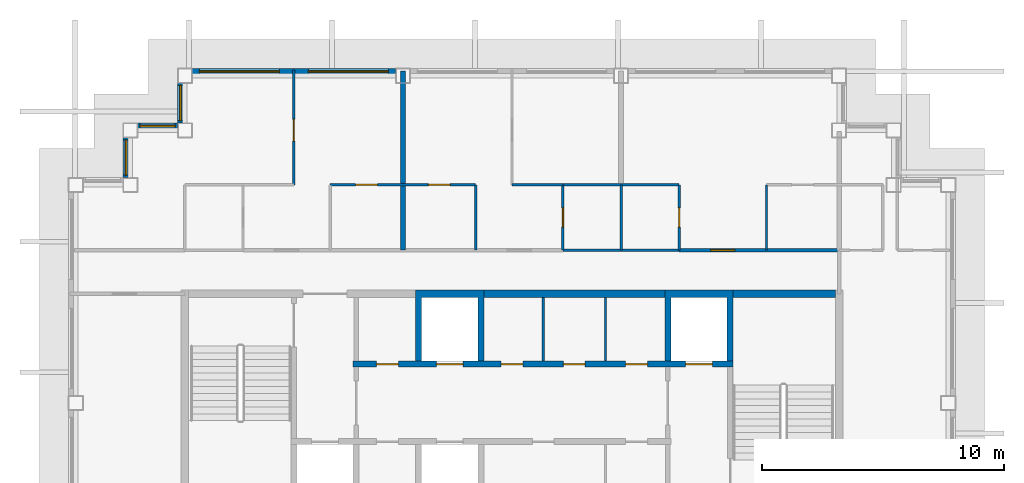
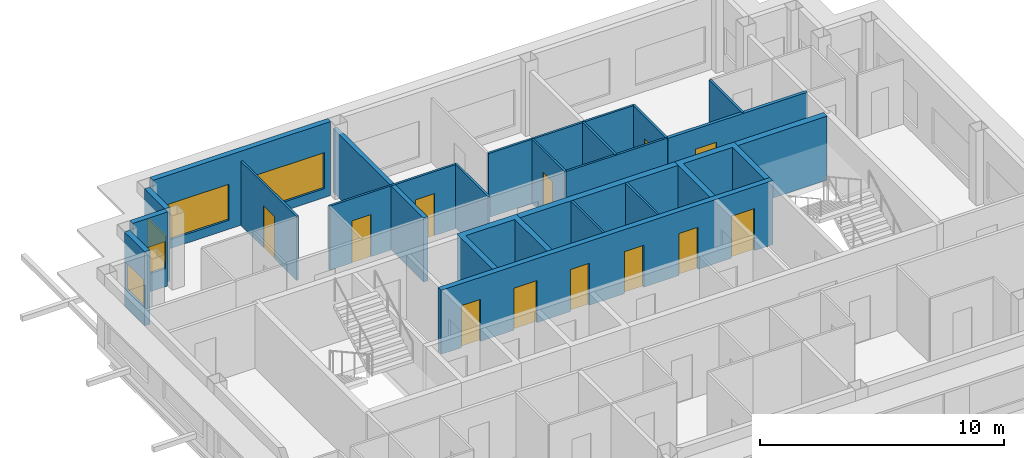
# One storey, part 4 of 11: 23 walls, 12 doors, 5 windows, 17 openings.
"""IFC4 building model written with IfcOpenShell, lengths in metres."""

from ifc_helpers import new_model, si_unit, direction, frame, frame_2d, origin, place, context, subcontext, project, spatial, polyline, rectangle, outline, extrude, material, layer, layer_set, type_object, element, fill, save


model = new_model("IFC4")

# Units and contexts
model_context = context("Model", 3, precision=1e-05, world=origin(), true_north=direction((0.0, 1.0)))
body_context = subcontext(model_context, "Body", "Model", "MODEL_VIEW")
ifc_project = project(units=[si_unit("LENGTHUNIT", "METRE"), si_unit("AREAUNIT", "SQUARE_METRE"), si_unit("VOLUMEUNIT", "CUBIC_METRE"), si_unit("PLANEANGLEUNIT", "RADIAN"), si_unit("MASSUNIT", "GRAM", prefix="KILO")], contexts=[model_context])

# Site, building, storey
site_placement = place(None, origin())
site = spatial("IfcSite", under=ifc_project, at=site_placement, CompositionType="ELEMENT")
building_placement = place(site_placement, origin())
building = spatial("IfcBuilding", under=site, at=building_placement, Name="Caravel Reach Hotel and Residences", CompositionType="ELEMENT")
storey_placement = place(building_placement, frame((0.0, 0.0, 301.89990234375)))
storey = spatial("IfcBuildingStorey", under=building, at=storey_placement, Name="L77", CompositionType="ELEMENT", Elevation=301.89990234375)

# Walls
ifc_material_1 = material(Name="Gypsum board on steel stud", Category="steel")
ifc_layer_1 = layer(ifc_material_1, 0.10009765625)
ifc_layer_set_1 = layer_set([ifc_layer_1], Name="Bathroom pod wall 100 mm")
wall_type_1 = type_object("IfcWallType", Name="Bathroom pod wall 100 mm", PredefinedType="PARTITIONING", material=ifc_layer_set_1)
for number, where, z_axis, x_axis, name in (
    (1, (33.60009765625, 33.300048828125, 0.0), (0.0, 0.0, 1.0), (1.0, 0.0, 0.0), "L77 wall w061"),
    (2, (33.60009765625, 36.0, 0.0), (0.0, 0.0, 1.0), (1.0, 0.0, 0.0), "L77 wall w065"),
):
    element("IfcWall", number, at=place(storey_placement, frame(where, z_axis=z_axis, x_axis=x_axis)), inside=storey, type_object=wall_type_1, Name=name, PredefinedType="PARTITIONING", context=body_context, shape_type="SweptSolid", body=[
        extrude(rectangle(XDim=4.7998046875, YDim=0.10009765625, at=frame_2d((2.39990234375, 0.0))), origin(), (0.0, 0.0, 1.0), 3.2001953125),
    ])

# Wall, opening, door
wall_1_placement = place(storey_placement, frame((33.60009765625, 33.300048828125, 0.0), z_axis=(0.0, 0.0, 1.0), x_axis=(0.0, 1.0, 0.0)))
wall_1 = element("IfcWall", 3, at=wall_1_placement, inside=storey, type_object=wall_type_1, Name="L77 wall w072", PredefinedType="PARTITIONING", context=body_context, shape_type="SweptSolid", body=[
    extrude(rectangle(XDim=2.699951171875, YDim=0.10009765625, at=frame_2d((1.35009765625, 0.0))), origin(), (0.0, 0.0, 1.0), 3.2001953125),
])
opening_1_placement = place(wall_1_placement, frame((0.949951171875, 0.0, 0.0)))
opening_1 = element("IfcOpeningElement", 4, at=opening_1_placement, cuts=wall_1, Name="Opening D77-024", PredefinedType="OPENING", context=body_context, shape_type="SweptSolid", body=[
    extrude(rectangle(XDim=0.800048828125, YDim=2.10009765625, at=frame_2d((0.39990234375, 1.050048828125))), frame((0.0, 0.06005859375, 0.0), z_axis=(0.0, -1.0, 0.0), x_axis=(1.0, 0.0, 0.0)), (0.0, 0.0, 1.0), 0.1201171875),
])
ifc_material_2 = material(Name="Timber and steel door leaf", Category="steel")
door_type_1 = type_object("IfcDoorType", Name="Bathroom door 800 x 2100", OperationType="SINGLE_SWING_LEFT", PredefinedType="DOOR", material=ifc_material_2)
door_1_placement = place(opening_1_placement, origin())
door_1 = element("IfcDoor", 5, at=door_1_placement, inside=storey, type_object=door_type_1, Name="door D77-024", OperationType="SINGLE_SWING_LEFT", OverallHeight=2.10009765625, OverallWidth=0.800048828125, PredefinedType="DOOR", context=body_context, shape_type="SweptSolid", body=[
    extrude(rectangle(XDim=0.800048828125, YDim=2.10009765625, at=frame_2d((0.39990234375, 1.050048828125))), frame((0.0, 0.02490234375, 0.0), z_axis=(0.0, -1.0, 0.0), x_axis=(1.0, 0.0, 0.0)), (0.0, 0.0, 1.0), 0.050048828125),
])
fill(opening_1, door_1)

# Wall
wall_2_placement = place(storey_placement, frame((36.0, 33.300048828125, 0.0), z_axis=(0.0, 0.0, 1.0), x_axis=(0.0, 1.0, 0.0)))
element("IfcWall", 6, at=wall_2_placement, inside=storey, type_object=wall_type_1, Name="L77 wall w074", PredefinedType="PARTITIONING", context=body_context, shape_type="SweptSolid", body=[
    extrude(rectangle(XDim=2.699951171875, YDim=0.10009765625, at=frame_2d((1.35009765625, 0.0))), origin(), (0.0, 0.0, 1.0), 3.2001953125),
])

# Wall, opening, door
wall_3_placement = place(storey_placement, frame((38.39990234375, 33.300048828125, 0.0), z_axis=(0.0, 0.0, 1.0), x_axis=(0.0, 1.0, 0.0)))
wall_3 = element("IfcWall", 7, at=wall_3_placement, inside=storey, type_object=wall_type_1, Name="L77 wall w076", PredefinedType="PARTITIONING", context=body_context, shape_type="SweptSolid", body=[
    extrude(rectangle(XDim=2.699951171875, YDim=0.10009765625, at=frame_2d((1.35009765625, 0.0))), origin(), (0.0, 0.0, 1.0), 3.2001953125),
])
opening_2_placement = place(wall_3_placement, frame((0.949951171875, 0.0, 0.0)))
opening_2 = element("IfcOpeningElement", 8, at=opening_2_placement, cuts=wall_3, Name="Opening D77-027", PredefinedType="OPENING", context=body_context, shape_type="SweptSolid", body=[
    extrude(rectangle(XDim=0.800048828125, YDim=2.10009765625, at=frame_2d((0.39990234375, 1.050048828125))), frame((0.0, 0.06005859375, 0.0), z_axis=(0.0, -1.0, 0.0), x_axis=(1.0, 0.0, 0.0)), (0.0, 0.0, 1.0), 0.1201171875),
])
door_2_placement = place(opening_2_placement, origin())
door_2 = element("IfcDoor", 9, at=door_2_placement, inside=storey, type_object=door_type_1, Name="door D77-027", OperationType="SINGLE_SWING_LEFT", OverallHeight=2.10009765625, OverallWidth=0.800048828125, PredefinedType="DOOR", context=body_context, shape_type="SweptSolid", body=[
    extrude(rectangle(XDim=0.800048828125, YDim=2.10009765625, at=frame_2d((0.39990234375, 1.050048828125))), frame((0.0, 0.02490234375, 0.0), z_axis=(0.0, -1.0, 0.0), x_axis=(1.0, 0.0, 0.0)), (0.0, 0.0, 1.0), 0.050048828125),
])
fill(opening_2, door_2)

# Walls
ifc_material_3 = material(Name="Concrete C60", Category="concrete")
ifc_layer_2 = layer(ifc_material_3, 0.300048828125)
ifc_layer_set_2 = layer_set([ifc_layer_2], Name="Core wall 300 mm EI 120")
wall_type_2 = type_object("IfcWallType", Name="Core wall 300 mm EI 120", PredefinedType="SHEAR", material=ifc_layer_set_2)
wall_4_placement = place(storey_placement, frame((30.33935546875, 31.5, 0.0), z_axis=(0.0, 0.0, 1.0), x_axis=(1.0, 0.0, 0.0)))
element("IfcWall", 10, at=wall_4_placement, inside=storey, type_object=wall_type_2, Name="L77 core wall N2", PredefinedType="SHEAR", context=body_context, shape_type="SweptSolid", body=[
    extrude(rectangle(XDim=7.464111328125, YDim=0.300048828125, at=frame_2d((3.73193359375, 0.0))), origin(), (0.0, 0.0, 1.0), 3.2001953125),
])
wall_5_placement = place(storey_placement, frame((40.625, 31.5, 0.0), z_axis=(0.0, 0.0, 1.0), x_axis=(1.0, 0.0, 0.0)))
element("IfcWall", 11, at=wall_5_placement, inside=storey, type_object=wall_type_2, Name="L77 core wall N3", PredefinedType="SHEAR", context=body_context, shape_type="SweptSolid", body=[
    extrude(rectangle(XDim=4.22509765625, YDim=0.300048828125, at=frame_2d((2.112548828125, 0.0))), origin(), (0.0, 0.0, 1.0), 3.2001953125),
])

# Wall, opening, door
ifc_material_4 = material(Name="Gypsum board on steel stud, fire-rated", Category="steel")
ifc_layer_3 = layer(ifc_material_4, 0.14990234375)
ifc_layer_set_3 = layer_set([ifc_layer_3], Name="Corridor wall 150 mm EI 60")
wall_type_3 = type_object("IfcWallType", Name="Corridor wall 150 mm EI 60", PredefinedType="PARTITIONING", material=ifc_layer_set_3)
wall_6_placement = place(storey_placement, frame((38.39990234375, 33.300048828125, 0.0), z_axis=(0.0, 0.0, 1.0), x_axis=(1.0, 0.0, 0.0)))
wall_6 = element("IfcWall", 12, at=wall_6_placement, inside=storey, type_object=wall_type_3, Name="L77 wall w015", PredefinedType="PARTITIONING", context=body_context, shape_type="SweptSolid", body=[
    extrude(rectangle(XDim=6.60009765625, YDim=0.14990234375, at=frame_2d((3.300048828125, 0.0))), origin(), (0.0, 0.0, 1.0), 3.2001953125),
])
opening_3_placement = place(wall_6_placement, frame((1.300048828125, 0.0, 0.0)))
opening_3 = element("IfcOpeningElement", 13, at=opening_3_placement, cuts=wall_6, Name="Opening D77-026", PredefinedType="OPENING", context=body_context, shape_type="SweptSolid", body=[
    extrude(rectangle(XDim=1.0, YDim=2.199951171875, at=frame_2d((0.5, 1.10009765625))), frame((0.0, 0.0849609375, 0.0), z_axis=(0.0, -1.0, 0.0), x_axis=(1.0, 0.0, 0.0)), (0.0, 0.0, 1.0), 0.169921875),
])
ifc_material_5 = material(Name="Steel fire door leaf", Category="steel")
door_type_2 = type_object("IfcDoorType", Name="Flat entrance door 1000 x 2200 EI 60", OperationType="SINGLE_SWING_LEFT", PredefinedType="DOOR", material=ifc_material_5)
door_3_placement = place(opening_3_placement, origin())
door_3 = element("IfcDoor", 14, at=door_3_placement, inside=storey, type_object=door_type_2, Name="door D77-026", OperationType="SINGLE_SWING_RIGHT", OverallHeight=2.199951171875, OverallWidth=1.0, PredefinedType="DOOR", context=body_context, shape_type="SweptSolid", body=[
    extrude(rectangle(XDim=1.0, YDim=2.199951171875, at=frame_2d((0.5, 1.10009765625))), frame((0.0, 0.02490234375, 0.0), z_axis=(0.0, -1.0, 0.0), x_axis=(1.0, 0.0, 0.0)), (0.0, 0.0, 1.0), 0.050048828125),
])
fill(opening_3, door_3)

# Wall, openings, windows
ifc_material_6 = material(Name="Insulated rainscreen wall, aluminium cladding", Category="aluminium")
ifc_layer_4 = layer(ifc_material_6, 0.25)
ifc_layer_set_4 = layer_set([ifc_layer_4], Name="EW1 Tower rainscreen wall")
wall_type_4 = type_object("IfcWallType", Name="EW1 Tower rainscreen wall", PredefinedType="SOLIDWALL", material=ifc_layer_set_4)
wall_7_placement = place(storey_placement, frame((26.699951171875, 40.675048828125, 0.0), z_axis=(0.0, 0.0, 1.0), x_axis=(-1.0, 0.0, 0.0)))
wall_7 = element("IfcWall", 15, at=wall_7_placement, inside=storey, type_object=wall_type_4, Name="External wall L77 N10.3", PredefinedType="SOLIDWALL", context=body_context, shape_type="SweptSolid", body=[
    extrude(rectangle(XDim=8.39990234375, YDim=0.25, at=frame_2d((4.199951171875, 0.0))), origin(), (0.0, 0.0, 1.0), 3.7001953125),
])
opening_4_placement = place(wall_7_placement, frame((0.300048828125, 0.0, 0.449951171875)))
opening_4 = element("IfcOpeningElement", 16, at=opening_4_placement, cuts=wall_7, Name="Opening WN28", PredefinedType="OPENING", context=body_context, shape_type="SweptSolid", body=[
    extrude(rectangle(XDim=3.300048828125, YDim=1.800048828125, at=frame_2d((1.64990234375, 0.89990234375))), frame((0.0, 0.135009765625, 0.0), z_axis=(0.0, -1.0, 0.0), x_axis=(1.0, 0.0, 0.0)), (0.0, 0.0, 1.0), 0.27001953125),
])
opening_5_placement = place(wall_7_placement, frame((4.800048828125, 0.0, 0.449951171875)))
opening_5 = element("IfcOpeningElement", 17, at=opening_5_placement, cuts=wall_7, Name="Opening WN28", PredefinedType="OPENING", context=body_context, shape_type="SweptSolid", body=[
    extrude(rectangle(XDim=3.300048828125, YDim=1.800048828125, at=frame_2d((1.64990234375, 0.89990234375))), frame((0.0, 0.135009765625, 0.0), z_axis=(0.0, -1.0, 0.0), x_axis=(1.0, 0.0, 0.0)), (0.0, 0.0, 1.0), 0.27001953125),
])
ifc_material_7 = material(Name="Dark low-e glazing in black aluminium frame", Category="aluminium")
window_type_1 = type_object("IfcWindowType", Name="Residence living window 3300 x 1800", PartitioningType="SINGLE_PANEL", PredefinedType="WINDOW", material=ifc_material_7)
window_1_placement = place(opening_4_placement, origin())
window_1 = element("IfcWindow", 18, at=window_1_placement, inside=storey, type_object=window_type_1, Name="Window L77 N10.3.1", OverallHeight=1.800048828125, OverallWidth=3.300048828125, PartitioningType="SINGLE_PANEL", PredefinedType="WINDOW", context=body_context, shape_type="SweptSolid", body=[
    extrude(rectangle(XDim=3.300048828125, YDim=1.800048828125, at=frame_2d((1.64990234375, 0.89990234375))), frame((0.0, 0.030029296875, 0.0), z_axis=(0.0, -1.0, 0.0), x_axis=(1.0, 0.0, 0.0)), (0.0, 0.0, 1.0), 0.06005859375),
])
fill(opening_4, window_1)
window_2_placement = place(opening_5_placement, origin())
window_2 = element("IfcWindow", 19, at=window_2_placement, inside=storey, type_object=window_type_1, Name="Window L77 N10.3.2", OverallHeight=1.800048828125, OverallWidth=3.300048828125, PartitioningType="SINGLE_PANEL", PredefinedType="WINDOW", context=body_context, shape_type="SweptSolid", body=[
    extrude(rectangle(XDim=3.300048828125, YDim=1.800048828125, at=frame_2d((1.64990234375, 0.89990234375))), frame((0.0, 0.030029296875, 0.0), z_axis=(0.0, -1.0, 0.0), x_axis=(1.0, 0.0, 0.0)), (0.0, 0.0, 1.0), 0.06005859375),
])
fill(opening_5, window_2)

# Wall, opening, window
wall_8_placement = place(storey_placement, frame((17.824951171875, 40.199951171875, 0.0), z_axis=(0.0, 0.0, 1.0), x_axis=(0.0, -1.0, 0.0)))
wall_8 = element("IfcWall", 20, at=wall_8_placement, inside=storey, type_object=wall_type_4, Name="External wall L77 W11.1", PredefinedType="SOLIDWALL", context=body_context, shape_type="SweptSolid", body=[
    extrude(rectangle(XDim=1.64990234375, YDim=0.25, at=frame_2d((0.824951171875, 0.0))), origin(), (0.0, 0.0, 1.0), 3.7001953125),
])
opening_6_placement = place(wall_8_placement, frame((0.10009765625, 0.0, 0.89990234375)))
opening_6 = element("IfcOpeningElement", 21, at=opening_6_placement, cuts=wall_8, Name="Opening WN27", PredefinedType="OPENING", context=body_context, shape_type="SweptSolid", body=[
    extrude(rectangle(XDim=1.449951171875, YDim=1.35009765625, at=frame_2d((0.72509765625, 0.675048828125))), frame((0.0, 0.135009765625, 0.0), z_axis=(0.0, -1.0, 0.0), x_axis=(1.0, 0.0, 0.0)), (0.0, 0.0, 1.0), 0.27001953125),
])
ifc_material_8 = material(Name="Dark low-e glazing in black aluminium frame", Category="aluminium")
window_type_2 = type_object("IfcWindowType", Name="Residence bedroom window 1450 x 1350", PartitioningType="SINGLE_PANEL", PredefinedType="WINDOW", material=ifc_material_8)
window_3_placement = place(opening_6_placement, origin())
window_3 = element("IfcWindow", 22, at=window_3_placement, inside=storey, type_object=window_type_2, Name="Window L77 W11.1.1", OverallHeight=1.35009765625, OverallWidth=1.449951171875, PartitioningType="SINGLE_PANEL", PredefinedType="WINDOW", context=body_context, shape_type="SweptSolid", body=[
    extrude(rectangle(XDim=1.449951171875, YDim=1.35009765625, at=frame_2d((0.72509765625, 0.675048828125))), frame((0.0, 0.030029296875, 0.0), z_axis=(0.0, -1.0, 0.0), x_axis=(1.0, 0.0, 0.0)), (0.0, 0.0, 1.0), 0.06005859375),
])
fill(opening_6, window_3)

wall_9_placement = place(storey_placement, frame((17.699951171875, 38.425048828125, 0.0), z_axis=(0.0, 0.0, 1.0), x_axis=(-1.0, 0.0, 0.0)))
wall_9 = element("IfcWall", 23, at=wall_9_placement, inside=storey, type_object=wall_type_4, Name="External wall L77 N12.1", PredefinedType="SOLIDWALL", context=body_context, shape_type="SweptSolid", body=[
    extrude(rectangle(XDim=1.64990234375, YDim=0.25, at=frame_2d((0.824951171875, 0.0))), origin(), (0.0, 0.0, 1.0), 3.7001953125),
])
opening_7_placement = place(wall_9_placement, frame((0.10009765625, 0.0, 0.89990234375)))
opening_7 = element("IfcOpeningElement", 24, at=opening_7_placement, cuts=wall_9, Name="Opening WN27", PredefinedType="OPENING", context=body_context, shape_type="SweptSolid", body=[
    extrude(rectangle(XDim=1.449951171875, YDim=1.35009765625, at=frame_2d((0.72509765625, 0.675048828125))), frame((0.0, 0.135009765625, 0.0), z_axis=(0.0, -1.0, 0.0), x_axis=(1.0, 0.0, 0.0)), (0.0, 0.0, 1.0), 0.27001953125),
])
window_4_placement = place(opening_7_placement, origin())
window_4 = element("IfcWindow", 25, at=window_4_placement, inside=storey, type_object=window_type_2, Name="Window L77 N12.1.1", OverallHeight=1.35009765625, OverallWidth=1.449951171875, PartitioningType="SINGLE_PANEL", PredefinedType="WINDOW", context=body_context, shape_type="SweptSolid", body=[
    extrude(rectangle(XDim=1.449951171875, YDim=1.35009765625, at=frame_2d((0.72509765625, 0.675048828125))), frame((0.0, 0.030029296875, 0.0), z_axis=(0.0, -1.0, 0.0), x_axis=(1.0, 0.0, 0.0)), (0.0, 0.0, 1.0), 0.06005859375),
])
fill(opening_7, window_4)

wall_10_placement = place(storey_placement, frame((15.574951171875, 37.949951171875, 0.0), z_axis=(0.0, 0.0, 1.0), x_axis=(0.0, -1.0, 0.0)))
wall_10 = element("IfcWall", 26, at=wall_10_placement, inside=storey, type_object=wall_type_4, Name="External wall L77 W13.1", PredefinedType="SOLIDWALL", context=body_context, shape_type="SweptSolid", body=[
    extrude(rectangle(XDim=1.64990234375, YDim=0.25, at=frame_2d((0.824951171875, 0.0))), origin(), (0.0, 0.0, 1.0), 3.7001953125),
])
opening_8_placement = place(wall_10_placement, frame((0.10009765625, 0.0, 0.89990234375)))
opening_8 = element("IfcOpeningElement", 27, at=opening_8_placement, cuts=wall_10, Name="Opening WN27", PredefinedType="OPENING", context=body_context, shape_type="SweptSolid", body=[
    extrude(rectangle(XDim=1.449951171875, YDim=1.35009765625, at=frame_2d((0.72509765625, 0.675048828125))), frame((0.0, 0.135009765625, 0.0), z_axis=(0.0, -1.0, 0.0), x_axis=(1.0, 0.0, 0.0)), (0.0, 0.0, 1.0), 0.27001953125),
])
window_5_placement = place(opening_8_placement, origin())
window_5 = element("IfcWindow", 28, at=window_5_placement, inside=storey, type_object=window_type_2, Name="Window L77 W13.1.1", OverallHeight=1.35009765625, OverallWidth=1.449951171875, PartitioningType="SINGLE_PANEL", PredefinedType="WINDOW", context=body_context, shape_type="SweptSolid", body=[
    extrude(rectangle(XDim=1.449951171875, YDim=1.35009765625, at=frame_2d((0.72509765625, 0.675048828125))), frame((0.0, 0.030029296875, 0.0), z_axis=(0.0, -1.0, 0.0), x_axis=(1.0, 0.0, 0.0)), (0.0, 0.0, 1.0), 0.06005859375),
])
fill(opening_8, window_5)

# Walls
ifc_material_9 = material(Name="Gypsum board on steel stud", Category="steel")
ifc_layer_5 = layer(ifc_material_9, 0.10009765625)
ifc_layer_set_5 = layer_set([ifc_layer_5], Name="Partition 100 mm")
wall_type_5 = type_object("IfcWallType", Name="Partition 100 mm", PredefinedType="PARTITIONING", material=ifc_layer_set_5)
for number, where, z_axis, x_axis, name in (
    (29, (32.78564453125, 28.72509765625, 0.0), (0.0, 0.0, 1.0), (0.0, 1.0, 0.0), "L77 store partition"),
    (30, (35.357177734375, 28.72509765625, 0.0), (0.0, 0.0, 1.0), (0.0, 1.0, 0.0), "L77 store partition"),
):
    element("IfcWall", number, at=place(storey_placement, frame(where, z_axis=z_axis, x_axis=x_axis)), inside=storey, type_object=wall_type_5, Name=name, PredefinedType="PARTITIONING", context=body_context, shape_type="SweptSolid", body=[
        extrude(rectangle(XDim=2.625, YDim=0.10009765625, at=frame_2d((1.3125, 0.0))), origin(), (0.0, 0.0, 1.0), 3.2001953125),
    ])

# Wall, openings, doors
wall_11_placement = place(storey_placement, frame((24.0, 36.0, 0.0), z_axis=(0.0, 0.0, 1.0), x_axis=(1.0, 0.0, 0.0)))
wall_11 = element("IfcWall", 31, at=wall_11_placement, inside=storey, type_object=wall_type_5, Name="L77 wall w027", PredefinedType="PARTITIONING", context=body_context, shape_type="SweptSolid", body=[
    extrude(rectangle(XDim=6.0, YDim=0.10009765625, at=frame_2d((3.0, 0.0))), origin(), (0.0, 0.0, 1.0), 3.2001953125),
])
opening_9_placement = place(wall_11_placement, frame((1.050048828125, 0.0, 0.0)))
opening_9 = element("IfcOpeningElement", 32, at=opening_9_placement, cuts=wall_11, Name="Opening D77-020", PredefinedType="OPENING", context=body_context, shape_type="SweptSolid", body=[
    extrude(rectangle(XDim=0.89990234375, YDim=2.10009765625, at=frame_2d((0.449951171875, 1.050048828125))), frame((0.0, 0.06005859375, 0.0), z_axis=(0.0, -1.0, 0.0), x_axis=(1.0, 0.0, 0.0)), (0.0, 0.0, 1.0), 0.1201171875),
])
opening_10_placement = place(wall_11_placement, frame((4.050048828125, 0.0, 0.0)))
opening_10 = element("IfcOpeningElement", 33, at=opening_10_placement, cuts=wall_11, Name="Opening D77-023", PredefinedType="OPENING", context=body_context, shape_type="SweptSolid", body=[
    extrude(rectangle(XDim=0.89990234375, YDim=2.10009765625, at=frame_2d((0.449951171875, 1.050048828125))), frame((0.0, 0.06005859375, 0.0), z_axis=(0.0, -1.0, 0.0), x_axis=(1.0, 0.0, 0.0)), (0.0, 0.0, 1.0), 0.1201171875),
])
ifc_material_10 = material(Name="Timber and steel door leaf", Category="steel")
door_type_3 = type_object("IfcDoorType", Name="Door 900 x 2100 timber", OperationType="SINGLE_SWING_LEFT", PredefinedType="DOOR", material=ifc_material_10)
door_4_placement = place(opening_9_placement, origin())
door_4 = element("IfcDoor", 34, at=door_4_placement, inside=storey, type_object=door_type_3, Name="door D77-020", OperationType="SINGLE_SWING_LEFT", OverallHeight=2.10009765625, OverallWidth=0.89990234375, PredefinedType="DOOR", context=body_context, shape_type="SweptSolid", body=[
    extrude(rectangle(XDim=0.89990234375, YDim=2.10009765625, at=frame_2d((0.449951171875, 1.050048828125))), frame((0.0, 0.02490234375, 0.0), z_axis=(0.0, -1.0, 0.0), x_axis=(1.0, 0.0, 0.0)), (0.0, 0.0, 1.0), 0.050048828125),
])
fill(opening_9, door_4)
door_5_placement = place(opening_10_placement, origin())
door_5 = element("IfcDoor", 35, at=door_5_placement, inside=storey, type_object=door_type_3, Name="door D77-023", OperationType="SINGLE_SWING_RIGHT", OverallHeight=2.10009765625, OverallWidth=0.89990234375, PredefinedType="DOOR", context=body_context, shape_type="SweptSolid", body=[
    extrude(rectangle(XDim=0.89990234375, YDim=2.10009765625, at=frame_2d((0.449951171875, 1.050048828125))), frame((0.0, 0.02490234375, 0.0), z_axis=(0.0, -1.0, 0.0), x_axis=(1.0, 0.0, 0.0)), (0.0, 0.0, 1.0), 0.050048828125),
])
fill(opening_10, door_5)

# Wall
wall_12_placement = place(storey_placement, frame((31.5, 36.0, 0.0), z_axis=(0.0, 0.0, 1.0), x_axis=(1.0, 0.0, 0.0)))
element("IfcWall", 36, at=wall_12_placement, inside=storey, type_object=wall_type_5, Name="L77 wall w028", PredefinedType="PARTITIONING", context=body_context, shape_type="SweptSolid", body=[
    extrude(rectangle(XDim=2.10009765625, YDim=0.10009765625, at=frame_2d((1.050048828125, 0.0))), origin(), (0.0, 0.0, 1.0), 3.2001953125),
])

# Wall, opening, door
wall_13_placement = place(storey_placement, frame((22.5, 36.0, 0.0), z_axis=(0.0, 0.0, 1.0), x_axis=(0.0, 1.0, 0.0)))
wall_13 = element("IfcWall", 37, at=wall_13_placement, inside=storey, type_object=wall_type_5, Name="L77 wall w033", PredefinedType="PARTITIONING", context=body_context, shape_type="SweptSolid", body=[
    extrude(rectangle(XDim=4.739990234375, YDim=0.10009765625, at=frame_2d((2.3701171875, 0.0))), origin(), (0.0, 0.0, 1.0), 3.2001953125),
])
opening_11_placement = place(wall_13_placement, frame((1.800048828125, 0.0, 0.0)))
opening_11 = element("IfcOpeningElement", 38, at=opening_11_placement, cuts=wall_13, Name="Opening D77-021", PredefinedType="OPENING", context=body_context, shape_type="SweptSolid", body=[
    extrude(rectangle(XDim=0.89990234375, YDim=2.10009765625, at=frame_2d((0.449951171875, 1.050048828125))), frame((0.0, 0.06005859375, 0.0), z_axis=(0.0, -1.0, 0.0), x_axis=(1.0, 0.0, 0.0)), (0.0, 0.0, 1.0), 0.1201171875),
])
door_6_placement = place(opening_11_placement, origin())
door_6 = element("IfcDoor", 39, at=door_6_placement, inside=storey, type_object=door_type_3, Name="door D77-021", OperationType="SINGLE_SWING_RIGHT", OverallHeight=2.10009765625, OverallWidth=0.89990234375, PredefinedType="DOOR", context=body_context, shape_type="SweptSolid", body=[
    extrude(rectangle(XDim=0.89990234375, YDim=2.10009765625, at=frame_2d((0.449951171875, 1.050048828125))), frame((0.0, 0.02490234375, 0.0), z_axis=(0.0, -1.0, 0.0), x_axis=(1.0, 0.0, 0.0)), (0.0, 0.0, 1.0), 0.050048828125),
])
fill(opening_11, door_6)

# Walls
for number, where, z_axis, x_axis, name in (
    (40, (30.0, 33.300048828125, 0.0), (0.0, 0.0, 1.0), (0.0, 1.0, 0.0), "L77 wall w036"),
    (41, (42.0, 33.300048828125, 0.0), (0.0, 0.0, 1.0), (0.0, 1.0, 0.0), "L77 wall w040"),
):
    element("IfcWall", number, at=place(storey_placement, frame(where, z_axis=z_axis, x_axis=x_axis)), inside=storey, type_object=wall_type_5, Name=name, PredefinedType="PARTITIONING", context=body_context, shape_type="SweptSolid", body=[
        extrude(rectangle(XDim=2.699951171875, YDim=0.10009765625, at=frame_2d((1.35009765625, 0.0))), origin(), (0.0, 0.0, 1.0), 3.2001953125),
    ])
ifc_material_11 = material(Name="Autoclaved aerated block wall")
ifc_layer_6 = layer(ifc_material_11, 0.199951171875)
ifc_layer_set_6 = layer_set([ifc_layer_6], Name="Party wall 200 mm EI 60")
wall_type_6 = type_object("IfcWallType", Name="Party wall 200 mm EI 60", PredefinedType="PARTITIONING", material=ifc_layer_set_6)
wall_14_placement = place(storey_placement, frame((27.0, 33.300048828125, 0.0), z_axis=(0.0, 0.0, 1.0), x_axis=(0.0, 1.0, 0.0)))
element("IfcWall", 42, at=wall_14_placement, inside=storey, type_object=wall_type_6, Name="L77 wall w046", PredefinedType="PARTITIONING", context=body_context, shape_type="SweptSolid", body=[
    extrude(rectangle(XDim=7.389892578125, YDim=0.199951171875, at=frame_2d((3.69482421875, 0.0))), origin(), (0.0, 0.0, 1.0), 3.2001953125),
])
ifc_material_12 = material(Name="Concrete C60", Category="concrete")
ifc_layer_7 = layer(ifc_material_12, 0.25)
ifc_layer_set_7 = layer_set([ifc_layer_7], Name="Shaft wall 250 mm EI 120")
wall_type_7 = type_object("IfcWallType", Name="Shaft wall 250 mm EI 120", PredefinedType="SHEAR", material=ifc_layer_set_7)
wall_15_placement = place(storey_placement, origin())
element("IfcWall", 43, at=wall_15_placement, inside=storey, type_object=wall_type_7, Name="L77 lift shaft wall N1", PredefinedType="SHEAR", context=body_context, shape_type="SweptSolid", body=[
    extrude(outline(polyline([(27.517822265625, 28.72509765625), (27.767822265625, 28.72509765625), (27.767822265625, 31.35009765625), (30.08935546875, 31.35009765625), (30.08935546875, 28.72509765625), (30.33935546875, 28.72509765625), (30.33935546875, 31.64990234375), (27.517822265625, 31.64990234375), (27.517822265625, 28.72509765625)])), origin(), (0.0, 0.0, 1.0), 3.2001953125),
])
wall_16_placement = place(storey_placement, origin())
element("IfcWall", 44, at=wall_16_placement, inside=storey, type_object=wall_type_7, Name="L77 lift shaft wall N2", PredefinedType="SHEAR", context=body_context, shape_type="SweptSolid", body=[
    extrude(outline(polyline([(37.803466796875, 28.72509765625), (38.053466796875, 28.72509765625), (38.053466796875, 31.35009765625), (40.375, 31.35009765625), (40.375, 28.72509765625), (40.625, 28.72509765625), (40.625, 31.64990234375), (37.803466796875, 31.64990234375), (37.803466796875, 28.72509765625)])), origin(), (0.0, 0.0, 1.0), 3.2001953125),
])

# Wall, openings, doors
wall_17_placement = place(storey_placement, frame((24.946533203125, 28.60009765625, 0.0), z_axis=(0.0, 0.0, 1.0), x_axis=(1.0, 0.0, 0.0)))
wall_17 = element("IfcWall", 45, at=wall_17_placement, inside=storey, type_object=wall_type_7, Name="L77 lobby wall N1", PredefinedType="SHEAR", context=body_context, shape_type="SweptSolid", body=[
    extrude(rectangle(XDim=15.678466796875, YDim=0.25, at=frame_2d((7.83935546875, 0.0))), origin(), (0.0, 0.0, 1.0), 3.2001953125),
])
opening_12_placement = place(wall_17_placement, frame((3.43212890625, 0.0, 0.0)))
opening_12 = element("IfcOpeningElement", 46, at=opening_12_placement, cuts=wall_17, Name="Opening D77-002", PredefinedType="OPENING", context=body_context, shape_type="SweptSolid", body=[
    extrude(rectangle(XDim=1.10009765625, YDim=2.10009765625, at=frame_2d((0.550048828125, 1.050048828125))), frame((0.0, 0.135009765625, 0.0), z_axis=(0.0, -1.0, 0.0), x_axis=(1.0, 0.0, 0.0)), (0.0, 0.0, 1.0), 0.27001953125),
])
opening_13_placement = place(wall_17_placement, frame((13.718017578125, 0.0, 0.0)))
opening_13 = element("IfcOpeningElement", 47, at=opening_13_placement, cuts=wall_17, Name="Opening D77-004", PredefinedType="OPENING", context=body_context, shape_type="SweptSolid", body=[
    extrude(rectangle(XDim=1.10009765625, YDim=2.10009765625, at=frame_2d((0.550048828125, 1.050048828125))), frame((0.0, 0.135009765625, 0.0), z_axis=(0.0, -1.0, 0.0), x_axis=(1.0, 0.0, 0.0)), (0.0, 0.0, 1.0), 0.27001953125),
])
opening_14_placement = place(wall_17_placement, frame((0.960693359375, 0.0, 0.0)))
opening_14 = element("IfcOpeningElement", 48, at=opening_14_placement, cuts=wall_17, Name="Opening D77-008", PredefinedType="OPENING", context=body_context, shape_type="SweptSolid", body=[
    extrude(rectangle(XDim=0.89990234375, YDim=2.10009765625, at=frame_2d((0.449951171875, 1.050048828125))), frame((0.0, 0.135009765625, 0.0), z_axis=(0.0, -1.0, 0.0), x_axis=(1.0, 0.0, 0.0)), (0.0, 0.0, 1.0), 0.27001953125),
])
opening_15_placement = place(wall_17_placement, frame((6.103515625, 0.0, 0.0)))
opening_15 = element("IfcOpeningElement", 49, at=opening_15_placement, cuts=wall_17, Name="Opening D77-009", PredefinedType="OPENING", context=body_context, shape_type="SweptSolid", body=[
    extrude(rectangle(XDim=0.89990234375, YDim=2.10009765625, at=frame_2d((0.449951171875, 1.050048828125))), frame((0.0, 0.135009765625, 0.0), z_axis=(0.0, -1.0, 0.0), x_axis=(1.0, 0.0, 0.0)), (0.0, 0.0, 1.0), 0.27001953125),
])
opening_16_placement = place(wall_17_placement, frame((8.675048828125, 0.0, 0.0)))
opening_16 = element("IfcOpeningElement", 50, at=opening_16_placement, cuts=wall_17, Name="Opening D77-010", PredefinedType="OPENING", context=body_context, shape_type="SweptSolid", body=[
    extrude(rectangle(XDim=0.89990234375, YDim=2.10009765625, at=frame_2d((0.449951171875, 1.050048828125))), frame((0.0, 0.135009765625, 0.0), z_axis=(0.0, -1.0, 0.0), x_axis=(1.0, 0.0, 0.0)), (0.0, 0.0, 1.0), 0.27001953125),
])
opening_17_placement = place(wall_17_placement, frame((11.246337890625, 0.0, 0.0)))
opening_17 = element("IfcOpeningElement", 51, at=opening_17_placement, cuts=wall_17, Name="Opening D77-011", PredefinedType="OPENING", context=body_context, shape_type="SweptSolid", body=[
    extrude(rectangle(XDim=0.89990234375, YDim=2.10009765625, at=frame_2d((0.449951171875, 1.050048828125))), frame((0.0, 0.135009765625, 0.0), z_axis=(0.0, -1.0, 0.0), x_axis=(1.0, 0.0, 0.0)), (0.0, 0.0, 1.0), 0.27001953125),
])
ifc_material_13 = material(Name="Stainless steel landing door", Category="steel")
door_type_4 = type_object("IfcDoorType", Name="Landing door LD 1100 x 2100 sliding", OperationType="DOUBLE_DOOR_SLIDING", PredefinedType="DOOR", material=ifc_material_13)
door_7_placement = place(opening_12_placement, origin())
door_7 = element("IfcDoor", 52, at=door_7_placement, inside=storey, type_object=door_type_4, Name="HP2 landing door", OperationType="DOUBLE_DOOR_SLIDING", OverallHeight=2.10009765625, OverallWidth=1.10009765625, PredefinedType="DOOR", context=body_context, shape_type="SweptSolid", body=[
    extrude(rectangle(XDim=1.10009765625, YDim=2.10009765625, at=frame_2d((0.550048828125, 1.050048828125))), frame((0.0, 0.02490234375, 0.0), z_axis=(0.0, -1.0, 0.0), x_axis=(1.0, 0.0, 0.0)), (0.0, 0.0, 1.0), 0.050048828125),
])
fill(opening_12, door_7)
door_8_placement = place(opening_13_placement, origin())
door_8 = element("IfcDoor", 53, at=door_8_placement, inside=storey, type_object=door_type_4, Name="FL2 landing door", OperationType="DOUBLE_DOOR_SLIDING", OverallHeight=2.10009765625, OverallWidth=1.10009765625, PredefinedType="DOOR", context=body_context, shape_type="SweptSolid", body=[
    extrude(rectangle(XDim=1.10009765625, YDim=2.10009765625, at=frame_2d((0.550048828125, 1.050048828125))), frame((0.0, 0.02490234375, 0.0), z_axis=(0.0, -1.0, 0.0), x_axis=(1.0, 0.0, 0.0)), (0.0, 0.0, 1.0), 0.050048828125),
])
fill(opening_13, door_8)
ifc_material_14 = material(Name="Steel fire door leaf", Category="steel")
door_type_5 = type_object("IfcDoorType", Name="Riser door 900 x 2100 EI 60", OperationType="SINGLE_SWING_LEFT", PredefinedType="DOOR", material=ifc_material_14)
door_9_placement = place(opening_14_placement, origin())
door_9 = element("IfcDoor", 54, at=door_9_placement, inside=storey, type_object=door_type_5, Name="Package store door", OperationType="SINGLE_SWING_LEFT", OverallHeight=2.10009765625, OverallWidth=0.89990234375, PredefinedType="DOOR", context=body_context, shape_type="SweptSolid", body=[
    extrude(rectangle(XDim=0.89990234375, YDim=2.10009765625, at=frame_2d((0.449951171875, 1.050048828125))), frame((0.0, 0.02490234375, 0.0), z_axis=(0.0, -1.0, 0.0), x_axis=(1.0, 0.0, 0.0)), (0.0, 0.0, 1.0), 0.050048828125),
])
fill(opening_14, door_9)
door_10_placement = place(opening_15_placement, origin())
door_10 = element("IfcDoor", 55, at=door_10_placement, inside=storey, type_object=door_type_5, Name="Water tank room door", OperationType="SINGLE_SWING_LEFT", OverallHeight=2.10009765625, OverallWidth=0.89990234375, PredefinedType="DOOR", context=body_context, shape_type="SweptSolid", body=[
    extrude(rectangle(XDim=0.89990234375, YDim=2.10009765625, at=frame_2d((0.449951171875, 1.050048828125))), frame((0.0, 0.02490234375, 0.0), z_axis=(0.0, -1.0, 0.0), x_axis=(1.0, 0.0, 0.0)), (0.0, 0.0, 1.0), 0.050048828125),
])
fill(opening_15, door_10)
door_11_placement = place(opening_16_placement, origin())
door_11 = element("IfcDoor", 56, at=door_11_placement, inside=storey, type_object=door_type_5, Name="Telecom room door", OperationType="SINGLE_SWING_LEFT", OverallHeight=2.10009765625, OverallWidth=0.89990234375, PredefinedType="DOOR", context=body_context, shape_type="SweptSolid", body=[
    extrude(rectangle(XDim=0.89990234375, YDim=2.10009765625, at=frame_2d((0.449951171875, 1.050048828125))), frame((0.0, 0.02490234375, 0.0), z_axis=(0.0, -1.0, 0.0), x_axis=(1.0, 0.0, 0.0)), (0.0, 0.0, 1.0), 0.050048828125),
])
fill(opening_16, door_11)
door_12_placement = place(opening_17_placement, origin())
door_12 = element("IfcDoor", 57, at=door_12_placement, inside=storey, type_object=door_type_5, Name="Recycling store door", OperationType="SINGLE_SWING_LEFT", OverallHeight=2.10009765625, OverallWidth=0.89990234375, PredefinedType="DOOR", context=body_context, shape_type="SweptSolid", body=[
    extrude(rectangle(XDim=0.89990234375, YDim=2.10009765625, at=frame_2d((0.449951171875, 1.050048828125))), frame((0.0, 0.02490234375, 0.0), z_axis=(0.0, -1.0, 0.0), x_axis=(1.0, 0.0, 0.0)), (0.0, 0.0, 1.0), 0.050048828125),
])
fill(opening_17, door_12)

save(model, "model.ifc")
